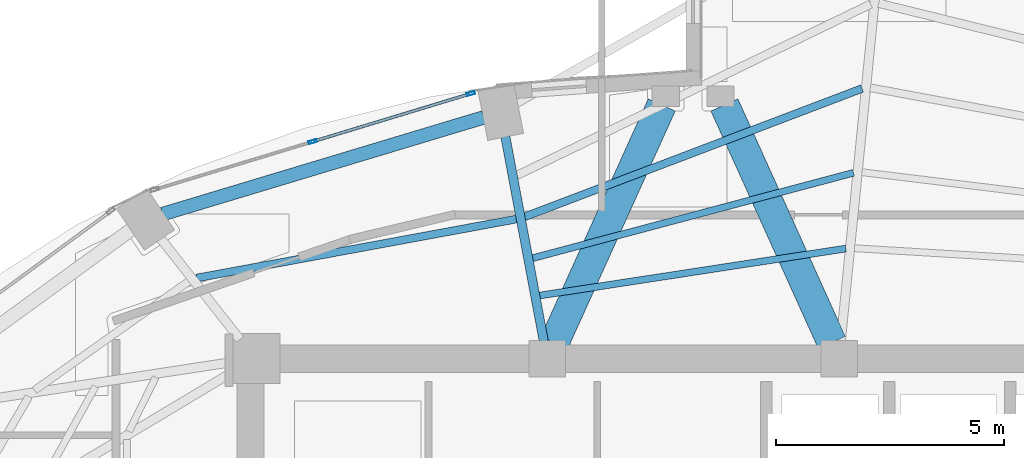
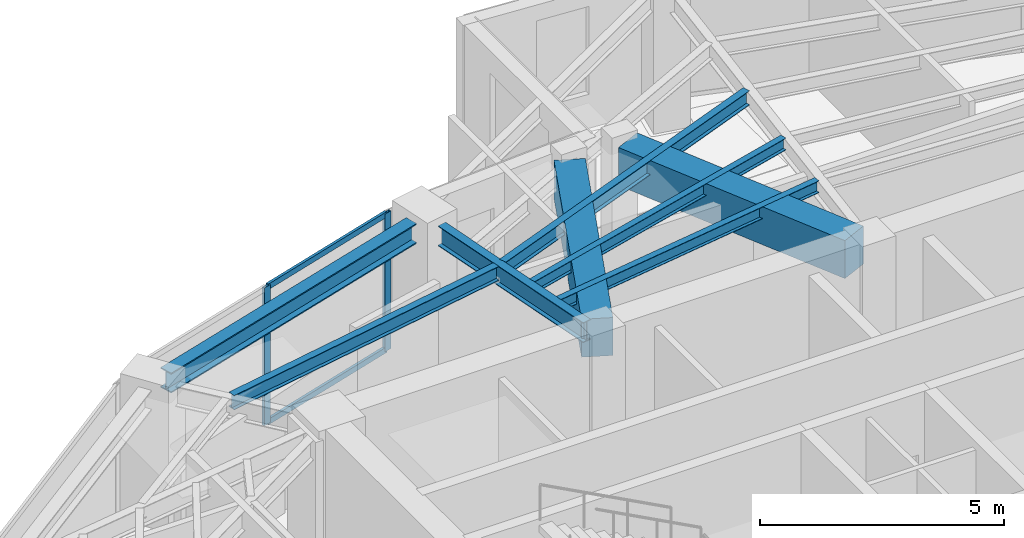
# One storey, part 11 of 23: 8 beams, 4 members, 1 element without a shape of its own.
"""IFC4 building model written with IfcOpenShell, lengths in metres."""

from ifc_helpers import new_model, si_unit, direction, frame, origin, origin_2d, place, context, subcontext, project, spatial, rectangle, hollow_rectangle, i_section, extrude, material, layer, layer_set, material_profile, profile_set, type_object, element, aggregate, save


model = new_model("IFC4")

# Units and contexts
model_context = context("Model", 3, precision=1e-05, world=origin(), true_north=direction((0.0, 1.0)))
body_context = subcontext(model_context, "Body", "Model", "MODEL_VIEW")
ifc_project = project(units=[si_unit("LENGTHUNIT", "METRE"), si_unit("AREAUNIT", "SQUARE_METRE"), si_unit("VOLUMEUNIT", "CUBIC_METRE"), si_unit("PLANEANGLEUNIT", "RADIAN"), si_unit("MASSUNIT", "GRAM", prefix="KILO")], contexts=[model_context])

# Site, building, storey
site_placement = place(None, origin())
site = spatial("IfcSite", under=ifc_project, at=site_placement, CompositionType="ELEMENT")
building_placement = place(site_placement, origin())
building = spatial("IfcBuilding", under=site, at=building_placement, Name="Lazwardi Medical Tower", CompositionType="ELEMENT")
storey_placement = place(building_placement, frame((0.0, 0.0, 213.072021484375)))
storey = spatial("IfcBuildingStorey", under=building, at=storey_placement, Name="L55", CompositionType="ELEMENT", Elevation=213.072021484375)

# Beams
ifc_material_1 = material(Name="Concrete C60/75", Category="concrete")
ifc_material_profile_1 = material_profile(ifc_material_1, rectangle(XDim=0.64990234375, YDim=0.949951171875, at=origin_2d()), Name="RC 650x950")
ifc_profile_set_1 = profile_set([ifc_material_profile_1], Name="Concrete C60/75")
beam_type_1 = type_object("IfcBeamType", Name="BM-CB-RC2", PredefinedType="LINTEL", material=ifc_profile_set_1)
for number, where, z_axis, x_axis, name in (
    (1, (32.95849609375, 35.95068359375, 2.972900390625), (0.412019279944, 0.911175127489, 0.0), (-0.911175127489, 0.412019279944, 0.0), "Core coupling lintel CB-02 PL1 L55"),
    (2, (39.04150390625, 35.95068359375, 2.972900390625), (-0.412019279944, 0.911175127489, 0.0), (-0.911175127489, -0.412019279944, 0.0), "Core coupling lintel CB-02 PL2 L55"),
):
    element("IfcBeam", number, at=place(storey_placement, frame(where, z_axis=z_axis, x_axis=x_axis)), inside=storey, type_object=beam_type_1, Name=name, PredefinedType="LINTEL", context=body_context, shape_type="SweptSolid", body=[
        extrude(rectangle(XDim=0.64990234375, YDim=0.949951171875, at=origin_2d()), origin(), (0.0, 0.0, 1.0), 5.7158203125),
    ])
ifc_material_2 = material(Name="Steel S355", Category="steel")
ifc_material_profile_2 = material_profile(ifc_material_2, i_section(OverallWidth=0.300048828125, OverallDepth=0.5, WebThickness=0.014404296875, FlangeThickness=0.028076171875, at=origin_2d()), Name="HEB 500")
ifc_profile_set_2 = profile_set([ifc_material_profile_2], Name="Steel S355")
beam_type_2 = type_object("IfcBeamType", Name="BM-RB-Z4", PredefinedType="BEAM", material=ifc_profile_set_2)
beam_1_placement = place(storey_placement, frame((31.41259765625, 40.885986328125, 3.197998046875), z_axis=(-0.957544311906, -0.288286126506, 0.0), x_axis=(0.288286126506, -0.957544311906, 0.0)))
element("IfcBeam", 3, at=beam_1_placement, inside=storey, type_object=beam_type_2, Name="Ring beam RB-05 B09 L55", PredefinedType="BEAM", context=body_context, shape_type="SweptSolid", body=[
    extrude(i_section(OverallWidth=0.300048828125, OverallDepth=0.5, WebThickness=0.014404296875, FlangeThickness=0.028076171875, at=origin_2d()), origin(), (0.0, 0.0, 1.0), 7.3515625),
])
ifc_material_profile_3 = material_profile(ifc_material_2, i_section(OverallWidth=0.199951171875, OverallDepth=0.5, WebThickness=0.01025390625, FlangeThickness=0.01611328125, at=origin_2d()), Name="IPE 500")
ifc_profile_set_3 = profile_set([ifc_material_profile_3], Name="Steel S355")
beam_type_3 = type_object("IfcBeamType", Name="BM-RG-W3", PredefinedType="BEAM", material=ifc_profile_set_3)
beam_2_placement = place(storey_placement, frame((31.884765625, 40.472412109375, 3.197998046875), z_axis=(0.184633463507, -0.982807450192, 0.0), x_axis=(0.982807450192, 0.184633463507, 0.0)))
element("IfcBeam", 4, at=beam_2_placement, inside=storey, type_object=beam_type_3, Name="Radial girder RG-04 R09 L55", PredefinedType="BEAM", context=body_context, shape_type="SweptSolid", body=[
    extrude(i_section(OverallWidth=0.199951171875, OverallDepth=0.5, WebThickness=0.01025390625, FlangeThickness=0.01611328125, at=origin_2d()), origin(), (0.0, 0.0, 1.0), 4.572509765625),
])
ifc_material_profile_4 = material_profile(ifc_material_2, i_section(OverallWidth=0.169921875, OverallDepth=0.360107421875, WebThickness=0.008056640625, FlangeThickness=0.0126953125, at=origin_2d()), Name="IPE 360")
ifc_profile_set_4 = profile_set([ifc_material_profile_4], Name="Steel S355")
beam_type_4 = type_object("IfcBeamType", Name="BM-SJ-02", PredefinedType="JOIST", material=ifc_profile_set_4)
beam_3_placement = place(storey_placement, frame((39.703125, 41.51904296875, 3.26806640625), z_axis=(-0.934714470268, -0.355399576633, 0.0), x_axis=(0.355399576633, -0.934714470268, 0.0)))
element("IfcBeam", 5, at=beam_3_placement, inside=storey, type_object=beam_type_4, Name="Secondary joist SJ-02 R2 B08 L55", PredefinedType="JOIST", context=body_context, shape_type="SweptSolid", body=[
    extrude(i_section(OverallWidth=0.169921875, OverallDepth=0.360107421875, WebThickness=0.008056640625, FlangeThickness=0.0126953125, at=origin_2d()), origin(), (0.0, 0.0, 1.0), 7.908203125),
])
beam_4_placement = place(storey_placement, frame((32.12890625, 38.65771484375, 3.26806640625), z_axis=(-0.983427965623, -0.181299300688, 0.0), x_axis=(0.181299300688, -0.983427965623, 0.0)))
element("IfcBeam", 6, at=beam_4_placement, inside=storey, type_object=beam_type_4, Name="Secondary joist SJ-02 R2 B09 L55", PredefinedType="JOIST", context=body_context, shape_type="SweptSolid", body=[
    extrude(i_section(OverallWidth=0.169921875, OverallDepth=0.360107421875, WebThickness=0.008056640625, FlangeThickness=0.0126953125, at=origin_2d()), origin(), (0.0, 0.0, 1.0), 7.127685546875),
])
ifc_material_profile_5 = material_profile(ifc_material_2, i_section(OverallWidth=0.14990234375, OverallDepth=0.300048828125, WebThickness=0.007080078125, FlangeThickness=0.0107421875, at=origin_2d()), Name="IPE 300")
ifc_profile_set_5 = profile_set([ifc_material_profile_5], Name="Steel S355")
beam_type_5 = type_object("IfcBeamType", Name="BM-SJ-03", PredefinedType="JOIST", material=ifc_profile_set_5)
beam_5_placement = place(storey_placement, frame((39.515380859375, 39.671875, 3.298095703125), z_axis=(-0.966369007826, -0.257159368316, 0.0), x_axis=(0.257159368316, -0.966369007826, 0.0)))
element("IfcBeam", 7, at=beam_5_placement, inside=storey, type_object=beam_type_5, Name="Secondary joist SJ-03 R3 B08 L55", PredefinedType="JOIST", context=body_context, shape_type="SweptSolid", body=[
    extrude(i_section(OverallWidth=0.14990234375, OverallDepth=0.300048828125, WebThickness=0.007080078125, FlangeThickness=0.0107421875, at=origin_2d()), origin(), (0.0, 0.0, 1.0), 7.27685546875),
])
beam_6_placement = place(storey_placement, frame((39.347412109375, 38.010986328125, 3.298095703125), z_axis=(-0.988433562862, -0.151654514629, 0.0), x_axis=(0.151654514629, -0.988433562862, 0.0)))
element("IfcBeam", 8, at=beam_6_placement, inside=storey, type_object=beam_type_5, Name="Secondary joist SJ-03 R4 B08 L55", PredefinedType="JOIST", context=body_context, shape_type="SweptSolid", body=[
    extrude(i_section(OverallWidth=0.14990234375, OverallDepth=0.300048828125, WebThickness=0.007080078125, FlangeThickness=0.0107421875, at=origin_2d()), origin(), (0.0, 0.0, 1.0), 6.788818359375),
])

# Curtain wall, members
ifc_material_3 = material(Name="Anodised bronze aluminium and solar control glazing", Category="aluminium")
ifc_layer = layer(ifc_material_3, 0.18994140625)
ifc_layer_set = layer_set([ifc_layer], Name="Anodised bronze aluminium and solar control glazing")
curtain_wall_type = type_object("IfcCurtainWallType", Name="CW-SYS-04", PredefinedType="NOTDEFINED", material=ifc_layer_set)
curtain_wall_placement = place(storey_placement, origin())
curtain_wall = element("IfcCurtainWall", 9, at=curtain_wall_placement, inside=storey, type_object=curtain_wall_type, Name="L55 Unitised bronze curtain wall CW-04", PredefinedType="NOTDEFINED")
ifc_material_4 = material(Name="Anodised bronze aluminium", Category="aluminium")
ifc_material_profile_6 = material_profile(ifc_material_4, hollow_rectangle(XDim=0.06494140625, YDim=0.179931640625, WallThickness=0.00390625, at=origin_2d()), Name="ALU-MULLION 180x65x4")
ifc_profile_set_6 = profile_set([ifc_material_profile_6], Name="Anodised bronze aluminium")
member_type_1 = type_object("IfcMemberType", Name="CW-MUL-03", PredefinedType="MULLION", material=ifc_profile_set_6)
member_1_placement = place(storey_placement, frame((31.126953125, 41.406982421875, 0.0), z_axis=(0.0, 0.0, 1.0), x_axis=(0.290581889515, -0.956850126972, 0.0)))
member_1 = element("IfcMember", 10, at=member_1_placement, type_object=member_type_1, Name="CW-04 mullion 1", PredefinedType="MULLION", context=body_context, shape_type="SweptSolid", body=[
    extrude(hollow_rectangle(XDim=0.06494140625, YDim=0.179931640625, WallThickness=0.00390625, at=origin_2d()), origin(), (0.0, 0.0, 1.0), 3.447998046875),
])
member_2_placement = place(storey_placement, frame((27.66357421875, 40.355224609375, 0.0), z_axis=(0.0, 0.0, 1.0), x_axis=(0.290581889515, -0.956850126972, 0.0)))
member_2 = element("IfcMember", 11, at=member_2_placement, type_object=member_type_1, Name="CW-04 mullion 2", PredefinedType="MULLION", context=body_context, shape_type="SweptSolid", body=[
    extrude(hollow_rectangle(XDim=0.06494140625, YDim=0.179931640625, WallThickness=0.00390625, at=origin_2d()), origin(), (0.0, 0.0, 1.0), 3.447998046875),
])
ifc_material_profile_7 = material_profile(ifc_material_4, hollow_rectangle(XDim=0.06494140625, YDim=0.139892578125, WallThickness=0.00341796875, at=origin_2d()), Name="ALU-TRANSOM 140x65x3.5")
ifc_profile_set_7 = profile_set([ifc_material_profile_7], Name="Anodised bronze aluminium")
member_type_2 = type_object("IfcMemberType", Name="CW-TRN-03", PredefinedType="USERDEFINED", material=ifc_profile_set_7)
member_3_placement = place(storey_placement, frame((31.095703125, 41.397705078125, 0.032470703125), z_axis=(-0.956843409009, -0.290604010015, 0.0), x_axis=(0.290604010015, -0.956843409009, 0.0)))
member_3 = element("IfcMember", 12, at=member_3_placement, type_object=member_type_2, Name="CW-04 transom 1.1", ObjectType="TRANSOM", PredefinedType="USERDEFINED", context=body_context, shape_type="SweptSolid", body=[
    extrude(hollow_rectangle(XDim=0.06494140625, YDim=0.139892578125, WallThickness=0.00341796875, at=origin_2d()), origin(), (0.0, 0.0, 1.0), 3.554443359375),
])
member_4_placement = place(storey_placement, frame((31.095703125, 41.397705078125, 3.41552734375), z_axis=(-0.956843409009, -0.290604010015, 0.0), x_axis=(0.290604010015, -0.956843409009, 0.0)))
member_4 = element("IfcMember", 13, at=member_4_placement, type_object=member_type_2, Name="CW-04 transom 1.2", ObjectType="TRANSOM", PredefinedType="USERDEFINED", context=body_context, shape_type="SweptSolid", body=[
    extrude(hollow_rectangle(XDim=0.06494140625, YDim=0.139892578125, WallThickness=0.00341796875, at=origin_2d()), origin(), (0.0, 0.0, 1.0), 3.554443359375),
])
aggregate(curtain_wall, [member_1, member_2, member_3, member_4])

save(model, "model.ifc")
